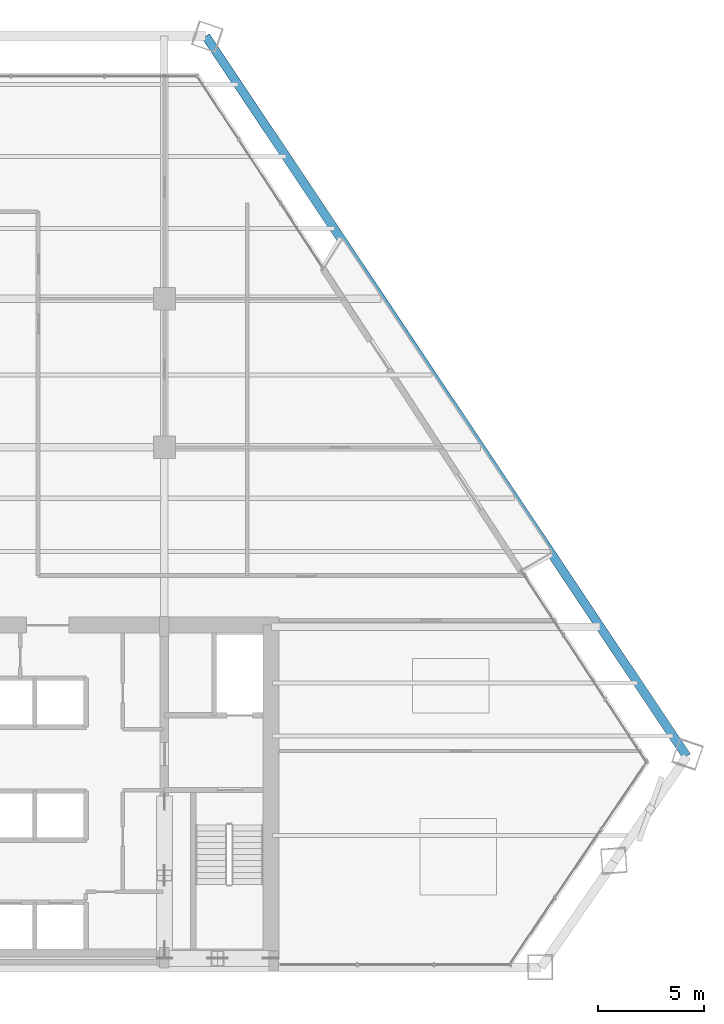
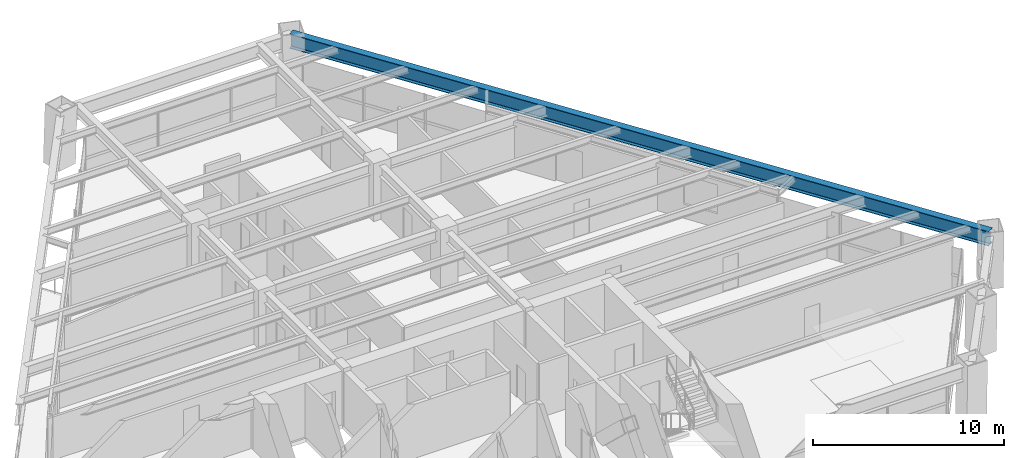
# One storey, part 7 of 14: 1 beam.
"""IFC4 building model written with IfcOpenShell, lengths in metres."""

from ifc_helpers import new_model, si_unit, direction, frame, origin, origin_2d, place, context, subcontext, project, spatial, i_section, extrude, source, transform, mapped, material, material_profile, profile_set, type_object, element, save


model = new_model("IFC4")

# Units and contexts
model_context = context("Model", 3, precision=1e-05, world=origin(), true_north=direction((0.0, 1.0)))
body_context = subcontext(model_context, "Body", "Model", "MODEL_VIEW")
ifc_project = project(units=[si_unit("LENGTHUNIT", "METRE"), si_unit("AREAUNIT", "SQUARE_METRE"), si_unit("VOLUMEUNIT", "CUBIC_METRE"), si_unit("PLANEANGLEUNIT", "RADIAN"), si_unit("MASSUNIT", "GRAM", prefix="KILO")], contexts=[model_context])

# Site, building, storey
site_placement = place(None, origin())
site = spatial("IfcSite", under=ifc_project, at=site_placement, CompositionType="ELEMENT")
building_placement = place(site_placement, origin())
building = spatial("IfcBuilding", under=site, at=building_placement, Name="Varnakhor Terracotta Tower", CompositionType="ELEMENT")
storey_placement = place(building_placement, frame((0.0, 0.0, 76.60009765625)))
storey = spatial("IfcBuildingStorey", under=building, at=storey_placement, Name="L18", CompositionType="ELEMENT", Elevation=76.60009765625)

# Beam
ifc_material = material(Name="Steel S355", Category="steel")
ifc_material_profile = material_profile(ifc_material, i_section(OverallWidth=0.41796875, OverallDepth=0.927001953125, WebThickness=0.01904296875, FlangeThickness=0.031982421875, FilletRadius=0.01806640625, at=origin_2d()), Name="W36X231")
ifc_profile_set = profile_set([ifc_material_profile], Name="Steel S355")
beam_type = type_object("IfcBeamType", Name="BM-W36X231", PredefinedType="BEAM", material=ifc_profile_set)
shared_shape = source(origin(), body_context, "Body", "SweptSolid", [
    extrude(i_section(OverallWidth=0.41796875, OverallDepth=0.927001953125, WebThickness=0.01904296875, FlangeThickness=0.031982421875, FilletRadius=0.01806640625, at=origin_2d()), origin(), (0.0, 0.0, 1.0), 40.809326171875),
])
beam_placement = place(storey_placement, frame((30.110107421875, 9.9375, 2.986328125), z_axis=(-0.555419266928, 0.831570464798, 0.0), x_axis=(-0.831570464798, -0.555419266928, 0.0)))
element("IfcBeam", 1, at=beam_placement, inside=storey, type_object=beam_type, Name="L18 Perimeter Spandrel 4", PredefinedType="BEAM", context=body_context, shape_type="MappedRepresentation", body=[
    mapped(shared_shape, transform((0.0, 0.0, 0.0), scale=1.0)),
])

save(model, "model.ifc")
